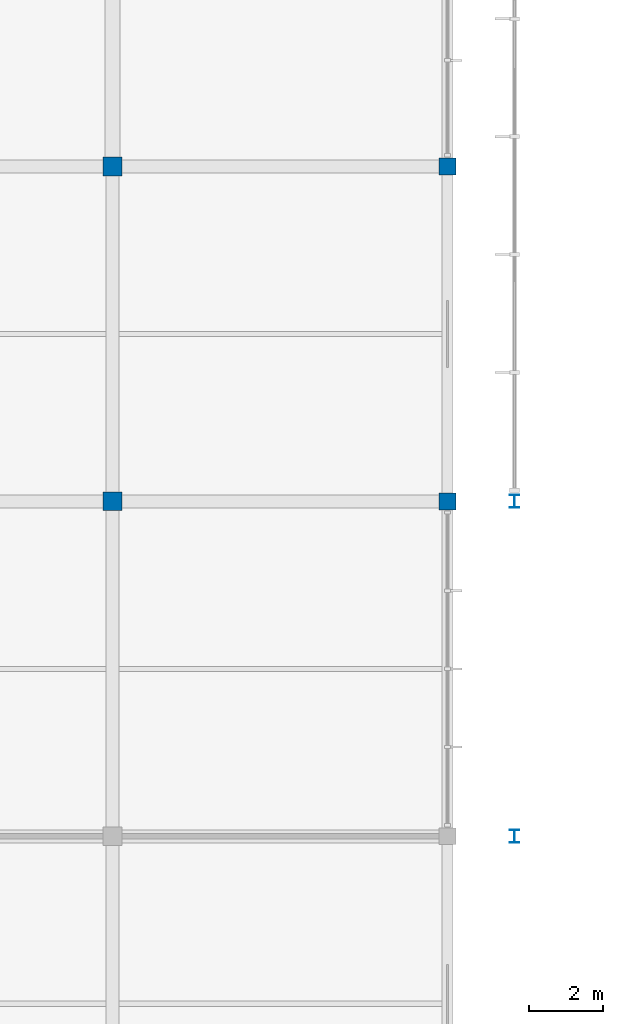
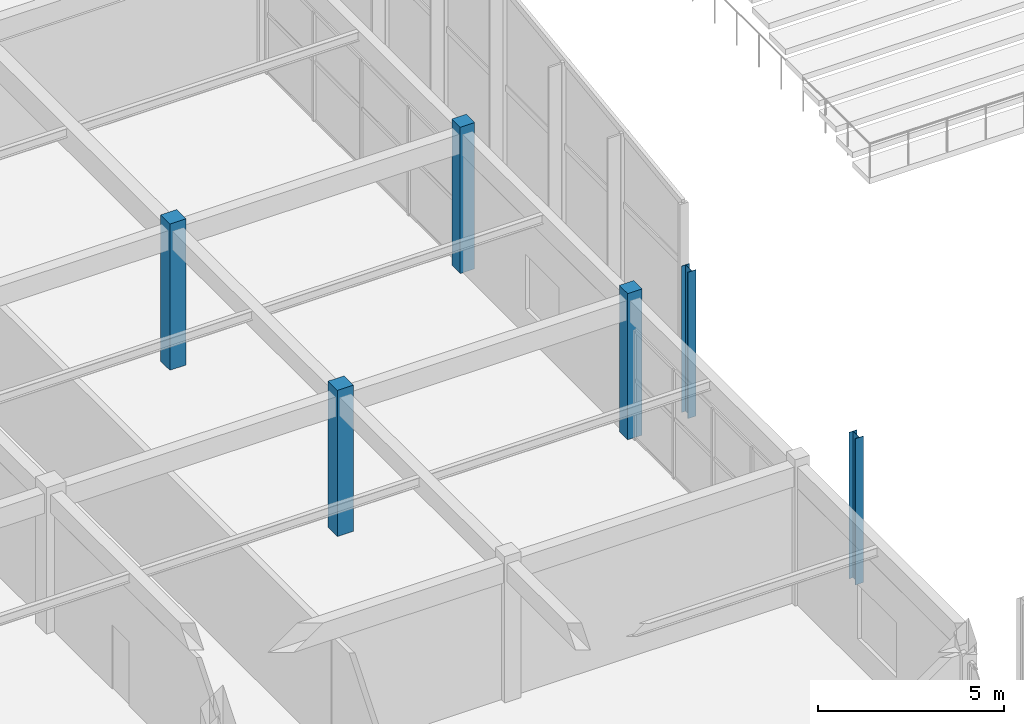
# One storey, part 4 of 74: 6 columns.
"""IFC4 building model written with IfcOpenShell, lengths in metres."""

from ifc_helpers import new_model, si_unit, direction, frame, origin, origin_2d, place, context, subcontext, project, spatial, rectangle, i_section, extrude, material, material_profile, profile_set, type_object, element, save


model = new_model("IFC4")

# Units and contexts
model_context = context("Model", 3, precision=1e-05, world=origin(), true_north=direction((0.0, 1.0)))
body_context = subcontext(model_context, "Body", "Model", "MODEL_VIEW")
ifc_project = project(units=[si_unit("LENGTHUNIT", "METRE"), si_unit("AREAUNIT", "SQUARE_METRE"), si_unit("VOLUMEUNIT", "CUBIC_METRE"), si_unit("PLANEANGLEUNIT", "RADIAN"), si_unit("MASSUNIT", "GRAM", prefix="KILO")], contexts=[model_context])

# Site, building, storey
site_placement = place(None, origin())
site = spatial("IfcSite", under=ifc_project, at=site_placement, CompositionType="ELEMENT")
building_placement = place(site_placement, origin())
building = spatial("IfcBuilding", under=site, at=building_placement, Name="Suirenkawa Promenade Aquatics Centre", CompositionType="ELEMENT")
storey_placement = place(building_placement, frame((0.0, 0.0, 4.800048828125)))
storey = spatial("IfcBuildingStorey", under=building, at=storey_placement, Name="L01", CompositionType="ELEMENT", Elevation=4.800048828125)

# Columns
ifc_material_1 = material(Name="Concrete M40", Category="concrete")
ifc_material_profile_1 = material_profile(ifc_material_1, rectangle(XDim=0.449951171875, YDim=0.449951171875, at=origin_2d()), Name="RC COL 450x450", Category="concrete")
ifc_profile_set_1 = profile_set([ifc_material_profile_1], Name="Concrete M40")
column_type_1 = type_object("IfcColumnType", Name="CT-RC-450", PredefinedType="COLUMN", material=ifc_profile_set_1)
for number, where, z_axis, x_axis, name in (
    (1, (45.0, 77.39990234375, 0.0), (0.0, 0.0, 1.0), (1.0, 0.0, 0.0), "Column CL-01 COL-0742"),
    (2, (45.0, 86.39990234375, 0.0), (0.0, 0.0, 1.0), (1.0, 0.0, 0.0), "Column CL-01 COL-0745"),
):
    element("IfcColumn", number, at=place(storey_placement, frame(where, z_axis=z_axis, x_axis=x_axis)), inside=storey, type_object=column_type_1, Name=name, PredefinedType="COLUMN", context=body_context, shape_type="SweptSolid", body=[
        extrude(rectangle(XDim=0.449951171875, YDim=0.449951171875, at=origin_2d()), origin(), (0.0, 0.0, 1.0), 4.800048828125),
    ])
ifc_material_profile_2 = material_profile(ifc_material_1, rectangle(XDim=0.5, YDim=0.5, at=origin_2d()), Name="RC COL 500x500", Category="concrete")
ifc_profile_set_2 = profile_set([ifc_material_profile_2], Name="Concrete M40")
column_type_2 = type_object("IfcColumnType", Name="CT-RC-500", PredefinedType="COLUMN", material=ifc_profile_set_2)
for number, where, z_axis, x_axis, name in (
    (3, (36.0, 77.39990234375, 0.0), (0.0, 0.0, 1.0), (1.0, 0.0, 0.0), "Column CL-02 COL-0558"),
    (4, (36.0, 86.39990234375, 0.0), (0.0, 0.0, 1.0), (1.0, 0.0, 0.0), "Column CL-02 COL-0562"),
):
    element("IfcColumn", number, at=place(storey_placement, frame(where, z_axis=z_axis, x_axis=x_axis)), inside=storey, type_object=column_type_2, Name=name, PredefinedType="COLUMN", context=body_context, shape_type="SweptSolid", body=[
        extrude(rectangle(XDim=0.5, YDim=0.5, at=origin_2d()), origin(), (0.0, 0.0, 1.0), 4.800048828125),
    ])
ifc_material_2 = material(Name="Steel IS 2062 E350 (Grade 350)", Category="steel")
ifc_material_profile_3 = material_profile(ifc_material_2, i_section(OverallWidth=0.25, OverallDepth=0.35009765625, WebThickness=0.010009765625, FlangeThickness=0.011962890625, at=origin_2d()), Name="ISHB 350", Category="steel")
ifc_profile_set_3 = profile_set([ifc_material_profile_3], Name="Steel IS 2062 E350 (Grade 350)")
column_type_3 = type_object("IfcColumnType", Name="CT-STL-ISHB350", PredefinedType="COLUMN", material=ifc_profile_set_3)
for number, where, z_axis, x_axis, name in (
    (5, (46.800048828125, 68.39990234375, 0.0), (0.0, 0.0, 1.0), (1.0, 0.0, 0.0), "Column CL-12 COL-0790"),
    (6, (46.800048828125, 77.39990234375, 0.0), (0.0, 0.0, 1.0), (1.0, 0.0, 0.0), "Column CL-12 COL-0793"),
):
    element("IfcColumn", number, at=place(storey_placement, frame(where, z_axis=z_axis, x_axis=x_axis)), inside=storey, type_object=column_type_3, Name=name, PredefinedType="COLUMN", context=body_context, shape_type="SweptSolid", body=[
        extrude(i_section(OverallWidth=0.25, OverallDepth=0.35009765625, WebThickness=0.010009765625, FlangeThickness=0.011962890625, at=origin_2d()), origin(), (0.0, 0.0, 1.0), 4.800048828125),
    ])

save(model, "model.ifc")
